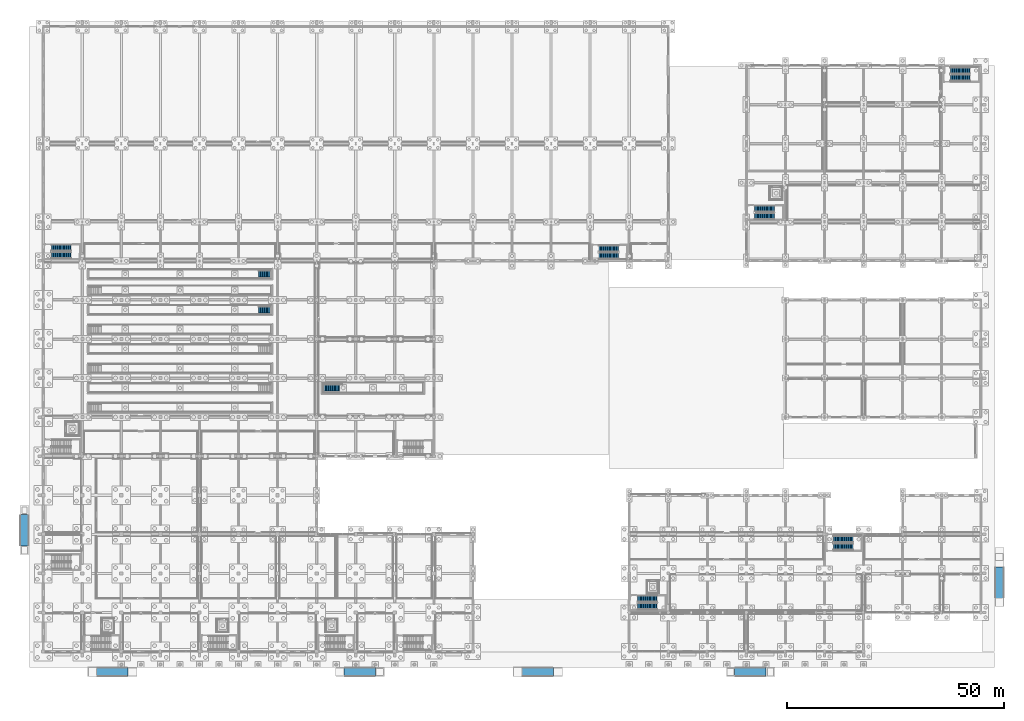
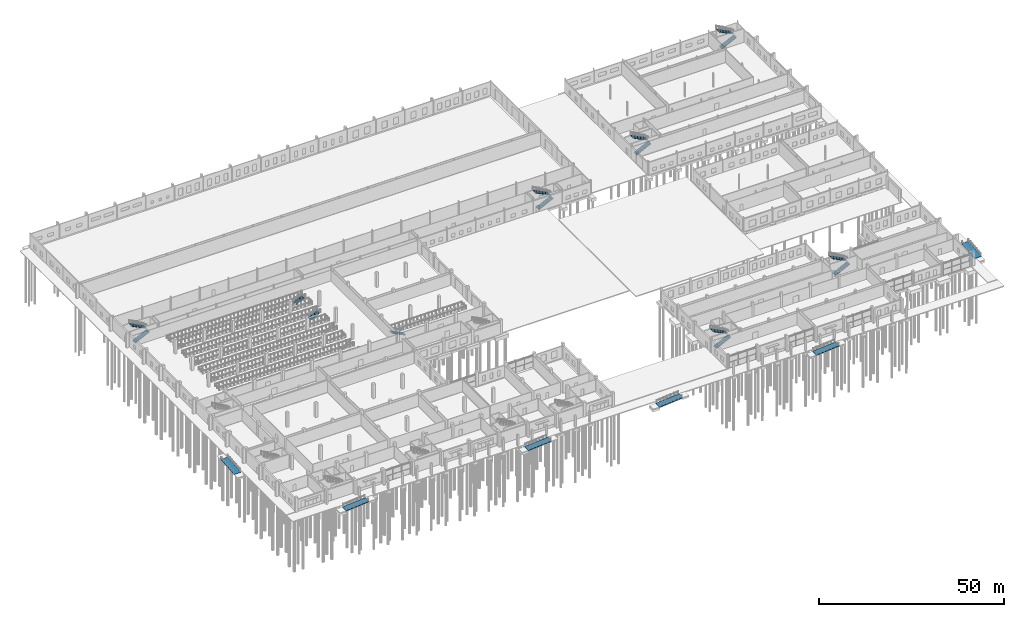
# One storey, part 87 of 112: 15 stair flights, 6 ramp flights, 15 elements without a shape of their own.
"""IFC4 building model written with IfcOpenShell, lengths in metres."""

from ifc_helpers import new_model, si_unit, direction, frame, origin, place, context, subcontext, project, spatial, polyline, outline, extrude, material, layer, layer_set, type_object, element, aggregate, save


model = new_model("IFC4")

# Units and contexts
model_context = context("Model", 3, precision=1e-05, world=origin(), true_north=direction((0.0, 1.0)))
body_context = subcontext(model_context, "Body", "Model", "MODEL_VIEW")
ifc_project = project(units=[si_unit("LENGTHUNIT", "METRE"), si_unit("AREAUNIT", "SQUARE_METRE"), si_unit("VOLUMEUNIT", "CUBIC_METRE"), si_unit("PLANEANGLEUNIT", "RADIAN"), si_unit("MASSUNIT", "GRAM", prefix="KILO")], contexts=[model_context])

# Site, building, storey
site_placement = place(None, origin())
site = spatial("IfcSite", under=ifc_project, at=site_placement, CompositionType="ELEMENT")
building_placement = place(site_placement, origin())
building = spatial("IfcBuilding", under=site, at=building_placement, Name="Tharagai Park Tramway Depot", CompositionType="ELEMENT")
storey_placement = place(building_placement, origin())
storey = spatial("IfcBuildingStorey", under=building, at=storey_placement, Name="L00", CompositionType="ELEMENT", Elevation=0.0)

# Stair, stair flights
ifc_material_1 = material(Name="Concrete M35", Category="concrete")
stair_type_1 = type_object("IfcStairType", Name="STT-02", PredefinedType="HALF_TURN_STAIR", material=ifc_material_1)
stair_1_placement = place(storey_placement, origin())
stair_1 = element("IfcStair", 1, at=stair_1_placement, inside=storey, type_object=stair_type_1, Name="L00 Protected Exit Stair ST-06", PredefinedType="HALF_TURN_STAIR")
stair_flight_type_1 = type_object("IfcStairFlightType", Name="SFT-02", PredefinedType="STRAIGHT", material=ifc_material_1)
stair_flight_1_placement = place(storey_placement, frame((136.949951171875, 10.425048828125, 0.0), z_axis=(0.0, 0.0, 1.0), x_axis=(1.0, 0.0, 0.0)))
stair_flight_1 = element("IfcStairFlight", 2, at=stair_flight_1_placement, type_object=stair_flight_type_1, Name="ST-06 flight 1", NumberOfRisers=16, NumberOfTreads=15, PredefinedType="STRAIGHT", RiserHeight=0.15, TreadLength=0.3, context=body_context, shape_type="SweptSolid", body=[
    extrude(outline(polyline([(-0.02490234375, 0.0), (0.0, 0.14990234375), (0.300048828125, 0.14990234375), (0.300048828125, 0.300048828125), (0.60009765625, 0.300048828125), (0.60009765625, 0.449951171875), (0.89990234375, 0.449951171875), (0.89990234375, 0.60009765625), (1.199951171875, 0.60009765625), (1.199951171875, 0.75), (1.5, 0.75), (1.5, 0.89990234375), (1.800048828125, 0.89990234375), (1.800048828125, 1.050048828125), (2.10009765625, 1.050048828125), (2.10009765625, 1.199951171875), (2.39990234375, 1.199951171875), (2.39990234375, 1.35009765625), (2.699951171875, 1.35009765625), (2.699951171875, 1.5), (3.0, 1.5), (3.0, 1.64990234375), (3.300048828125, 1.64990234375), (3.300048828125, 1.800048828125), (3.60009765625, 1.800048828125), (3.60009765625, 1.949951171875), (3.89990234375, 1.949951171875), (3.89990234375, 2.10009765625), (4.199951171875, 2.10009765625), (4.199951171875, 2.25), (4.5, 2.25), (4.5, 2.39990234375), (4.52490234375, 2.39990234375), (4.52490234375, 2.08251953125), (0.335205078125, 0.0), (-0.02490234375, -0.0400390625), (-0.02490234375, 0.0)])), frame((0.0, 0.77490234375, 0.0), z_axis=(0.0, -1.0, 0.0), x_axis=(1.0, 0.0, 0.0)), (0.0, 0.0, 1.0), 1.550048828125),
])
stair_flight_2_placement = place(storey_placement, frame((141.449951171875, 12.125, 2.39990234375), z_axis=(0.0, 0.0, 1.0), x_axis=(-1.0, 0.0, 0.0)))
stair_flight_2 = element("IfcStairFlight", 3, at=stair_flight_2_placement, type_object=stair_flight_type_1, Name="ST-06 flight 2", NumberOfRisers=16, NumberOfTreads=15, PredefinedType="STRAIGHT", RiserHeight=0.15, TreadLength=0.3, context=body_context, shape_type="SweptSolid", body=[
    extrude(outline(polyline([(-0.02490234375, 0.0), (0.0, 0.14990234375), (0.300048828125, 0.14990234375), (0.300048828125, 0.300048828125), (0.60009765625, 0.300048828125), (0.60009765625, 0.449951171875), (0.89990234375, 0.449951171875), (0.89990234375, 0.60009765625), (1.199951171875, 0.60009765625), (1.199951171875, 0.75), (1.5, 0.75), (1.5, 0.89990234375), (1.800048828125, 0.89990234375), (1.800048828125, 1.050048828125), (2.10009765625, 1.050048828125), (2.10009765625, 1.199951171875), (2.39990234375, 1.199951171875), (2.39990234375, 1.35009765625), (2.699951171875, 1.35009765625), (2.699951171875, 1.5), (3.0, 1.5), (3.0, 1.64990234375), (3.300048828125, 1.64990234375), (3.300048828125, 1.800048828125), (3.60009765625, 1.800048828125), (3.60009765625, 1.949951171875), (3.89990234375, 1.949951171875), (3.89990234375, 2.10009765625), (4.199951171875, 2.10009765625), (4.199951171875, 2.25), (4.5, 2.25), (4.5, 2.39990234375), (4.52490234375, 2.39990234375), (4.52490234375, 2.08251953125), (0.335205078125, 0.0), (-0.02490234375, -0.0400390625), (-0.02490234375, 0.0)])), frame((0.0, 0.77490234375, 0.0), z_axis=(0.0, -1.0, 0.0), x_axis=(1.0, 0.0, 0.0)), (0.0, 0.0, 1.0), 1.550048828125),
])
aggregate(stair_1, [stair_flight_1, stair_flight_2])

stair_2_placement = place(storey_placement, origin())
stair_2 = element("IfcStair", 4, at=stair_2_placement, inside=storey, type_object=stair_type_1, Name="L00 Protected Exit Stair ST-07", PredefinedType="HALF_TURN_STAIR")
stair_flight_3_placement = place(storey_placement, frame((182.070068359375, 24.125, 0.0), z_axis=(0.0, 0.0, 1.0), x_axis=(1.0, 0.0, 0.0)))
stair_flight_3 = element("IfcStairFlight", 5, at=stair_flight_3_placement, type_object=stair_flight_type_1, Name="ST-07 flight 1", NumberOfRisers=16, NumberOfTreads=15, PredefinedType="STRAIGHT", RiserHeight=0.15, TreadLength=0.3, context=body_context, shape_type="SweptSolid", body=[
    extrude(outline(polyline([(-0.02490234375, 0.0), (0.0, 0.14990234375), (0.300048828125, 0.14990234375), (0.300048828125, 0.300048828125), (0.60009765625, 0.300048828125), (0.60009765625, 0.449951171875), (0.89990234375, 0.449951171875), (0.89990234375, 0.60009765625), (1.199951171875, 0.60009765625), (1.199951171875, 0.75), (1.5, 0.75), (1.5, 0.89990234375), (1.800048828125, 0.89990234375), (1.800048828125, 1.050048828125), (2.10009765625, 1.050048828125), (2.10009765625, 1.199951171875), (2.39990234375, 1.199951171875), (2.39990234375, 1.35009765625), (2.699951171875, 1.35009765625), (2.699951171875, 1.5), (3.0, 1.5), (3.0, 1.64990234375), (3.300048828125, 1.64990234375), (3.300048828125, 1.800048828125), (3.60009765625, 1.800048828125), (3.60009765625, 1.949951171875), (3.89990234375, 1.949951171875), (3.89990234375, 2.10009765625), (4.199951171875, 2.10009765625), (4.199951171875, 2.25), (4.5, 2.25), (4.5, 2.39990234375), (4.52490234375, 2.39990234375), (4.52490234375, 2.08251953125), (0.335205078125, 0.0), (-0.02490234375, -0.0400390625), (-0.02490234375, 0.0)])), frame((0.0, 0.77490234375, 0.0), z_axis=(0.0, -1.0, 0.0), x_axis=(1.0, 0.0, 0.0)), (0.0, 0.0, 1.0), 1.550048828125),
])
stair_flight_4_placement = place(storey_placement, frame((186.570068359375, 25.824951171875, 2.39990234375), z_axis=(0.0, 0.0, 1.0), x_axis=(-1.0, 0.0, 0.0)))
stair_flight_4 = element("IfcStairFlight", 6, at=stair_flight_4_placement, type_object=stair_flight_type_1, Name="ST-07 flight 2", NumberOfRisers=16, NumberOfTreads=15, PredefinedType="STRAIGHT", RiserHeight=0.15, TreadLength=0.3, context=body_context, shape_type="SweptSolid", body=[
    extrude(outline(polyline([(-0.02490234375, 0.0), (0.0, 0.14990234375), (0.300048828125, 0.14990234375), (0.300048828125, 0.300048828125), (0.60009765625, 0.300048828125), (0.60009765625, 0.449951171875), (0.89990234375, 0.449951171875), (0.89990234375, 0.60009765625), (1.199951171875, 0.60009765625), (1.199951171875, 0.75), (1.5, 0.75), (1.5, 0.89990234375), (1.800048828125, 0.89990234375), (1.800048828125, 1.050048828125), (2.10009765625, 1.050048828125), (2.10009765625, 1.199951171875), (2.39990234375, 1.199951171875), (2.39990234375, 1.35009765625), (2.699951171875, 1.35009765625), (2.699951171875, 1.5), (3.0, 1.5), (3.0, 1.64990234375), (3.300048828125, 1.64990234375), (3.300048828125, 1.800048828125), (3.60009765625, 1.800048828125), (3.60009765625, 1.949951171875), (3.89990234375, 1.949951171875), (3.89990234375, 2.10009765625), (4.199951171875, 2.10009765625), (4.199951171875, 2.25), (4.5, 2.25), (4.5, 2.39990234375), (4.52490234375, 2.39990234375), (4.52490234375, 2.08251953125), (0.335205078125, 0.0), (-0.02490234375, -0.0400390625), (-0.02490234375, 0.0)])), frame((0.0, 0.77490234375, 0.0), z_axis=(0.0, -1.0, 0.0), x_axis=(1.0, 0.0, 0.0)), (0.0, 0.0, 1.0), 1.550048828125),
])
aggregate(stair_2, [stair_flight_3, stair_flight_4])

stair_3_placement = place(storey_placement, origin())
stair_3 = element("IfcStair", 7, at=stair_3_placement, inside=storey, type_object=stair_type_1, Name="L00 Protected Exit Stair ST-10", PredefinedType="HALF_TURN_STAIR")
stair_flight_5_placement = place(storey_placement, frame((1.919921875, 91.31005859375, 0.0), z_axis=(0.0, 0.0, 1.0), x_axis=(1.0, 0.0, 0.0)))
stair_flight_5 = element("IfcStairFlight", 8, at=stair_flight_5_placement, type_object=stair_flight_type_1, Name="ST-10 flight 1", NumberOfRisers=16, NumberOfTreads=15, PredefinedType="STRAIGHT", RiserHeight=0.15, TreadLength=0.3, context=body_context, shape_type="SweptSolid", body=[
    extrude(outline(polyline([(-0.02490234375, 0.0), (0.0, 0.14990234375), (0.300048828125, 0.14990234375), (0.300048828125, 0.300048828125), (0.60009765625, 0.300048828125), (0.60009765625, 0.449951171875), (0.89990234375, 0.449951171875), (0.89990234375, 0.60009765625), (1.199951171875, 0.60009765625), (1.199951171875, 0.75), (1.5, 0.75), (1.5, 0.89990234375), (1.800048828125, 0.89990234375), (1.800048828125, 1.050048828125), (2.10009765625, 1.050048828125), (2.10009765625, 1.199951171875), (2.39990234375, 1.199951171875), (2.39990234375, 1.35009765625), (2.699951171875, 1.35009765625), (2.699951171875, 1.5), (3.0, 1.5), (3.0, 1.64990234375), (3.300048828125, 1.64990234375), (3.300048828125, 1.800048828125), (3.60009765625, 1.800048828125), (3.60009765625, 1.949951171875), (3.89990234375, 1.949951171875), (3.89990234375, 2.10009765625), (4.199951171875, 2.10009765625), (4.199951171875, 2.25), (4.5, 2.25), (4.5, 2.39990234375), (4.52490234375, 2.39990234375), (4.52490234375, 2.08251953125), (0.335205078125, 0.0), (-0.02490234375, -0.0400390625), (-0.02490234375, 0.0)])), frame((0.0, 0.760009765625, 0.0), z_axis=(0.0, -1.0, 0.0), x_axis=(1.0, 0.0, 0.0)), (0.0, 0.0, 1.0), 1.52001953125),
])
stair_flight_6_placement = place(storey_placement, frame((6.419921875, 92.97998046875, 2.39990234375), z_axis=(0.0, 0.0, 1.0), x_axis=(-1.0, 0.0, 0.0)))
stair_flight_6 = element("IfcStairFlight", 9, at=stair_flight_6_placement, type_object=stair_flight_type_1, Name="ST-10 flight 2", NumberOfRisers=16, NumberOfTreads=15, PredefinedType="STRAIGHT", RiserHeight=0.15, TreadLength=0.3, context=body_context, shape_type="SweptSolid", body=[
    extrude(outline(polyline([(-0.02490234375, 0.0), (0.0, 0.14990234375), (0.300048828125, 0.14990234375), (0.300048828125, 0.300048828125), (0.60009765625, 0.300048828125), (0.60009765625, 0.449951171875), (0.89990234375, 0.449951171875), (0.89990234375, 0.60009765625), (1.199951171875, 0.60009765625), (1.199951171875, 0.75), (1.5, 0.75), (1.5, 0.89990234375), (1.800048828125, 0.89990234375), (1.800048828125, 1.050048828125), (2.10009765625, 1.050048828125), (2.10009765625, 1.199951171875), (2.39990234375, 1.199951171875), (2.39990234375, 1.35009765625), (2.699951171875, 1.35009765625), (2.699951171875, 1.5), (3.0, 1.5), (3.0, 1.64990234375), (3.300048828125, 1.64990234375), (3.300048828125, 1.800048828125), (3.60009765625, 1.800048828125), (3.60009765625, 1.949951171875), (3.89990234375, 1.949951171875), (3.89990234375, 2.10009765625), (4.199951171875, 2.10009765625), (4.199951171875, 2.25), (4.5, 2.25), (4.5, 2.39990234375), (4.52490234375, 2.39990234375), (4.52490234375, 2.08251953125), (0.335205078125, 0.0), (-0.02490234375, -0.0400390625), (-0.02490234375, 0.0)])), frame((0.0, 0.760009765625, 0.0), z_axis=(0.0, -1.0, 0.0), x_axis=(1.0, 0.0, 0.0)), (0.0, 0.0, 1.0), 1.52001953125),
])
aggregate(stair_3, [stair_flight_5, stair_flight_6])

stair_4_placement = place(storey_placement, origin())
stair_4 = element("IfcStair", 10, at=stair_4_placement, inside=storey, type_object=stair_type_1, Name="L00 Protected Exit Stair ST-11", PredefinedType="HALF_TURN_STAIR")
stair_flight_7_placement = place(storey_placement, frame((128.0400390625, 91.159912109375, 0.0), z_axis=(0.0, 0.0, 1.0), x_axis=(1.0, 0.0, 0.0)))
stair_flight_7 = element("IfcStairFlight", 11, at=stair_flight_7_placement, type_object=stair_flight_type_1, Name="ST-11 flight 1", NumberOfRisers=16, NumberOfTreads=15, PredefinedType="STRAIGHT", RiserHeight=0.15, TreadLength=0.3, context=body_context, shape_type="SweptSolid", body=[
    extrude(outline(polyline([(-0.02490234375, 0.0), (0.0, 0.14990234375), (0.300048828125, 0.14990234375), (0.300048828125, 0.300048828125), (0.60009765625, 0.300048828125), (0.60009765625, 0.449951171875), (0.89990234375, 0.449951171875), (0.89990234375, 0.60009765625), (1.199951171875, 0.60009765625), (1.199951171875, 0.75), (1.5, 0.75), (1.5, 0.89990234375), (1.800048828125, 0.89990234375), (1.800048828125, 1.050048828125), (2.10009765625, 1.050048828125), (2.10009765625, 1.199951171875), (2.39990234375, 1.199951171875), (2.39990234375, 1.35009765625), (2.699951171875, 1.35009765625), (2.699951171875, 1.5), (3.0, 1.5), (3.0, 1.64990234375), (3.300048828125, 1.64990234375), (3.300048828125, 1.800048828125), (3.60009765625, 1.800048828125), (3.60009765625, 1.949951171875), (3.89990234375, 1.949951171875), (3.89990234375, 2.10009765625), (4.199951171875, 2.10009765625), (4.199951171875, 2.25), (4.5, 2.25), (4.5, 2.39990234375), (4.52490234375, 2.39990234375), (4.52490234375, 2.08251953125), (0.335205078125, 0.0), (-0.02490234375, -0.0400390625), (-0.02490234375, 0.0)])), frame((0.0, 0.760009765625, 0.0), z_axis=(0.0, -1.0, 0.0), x_axis=(1.0, 0.0, 0.0)), (0.0, 0.0, 1.0), 1.52001953125),
])
stair_flight_8_placement = place(storey_placement, frame((132.5400390625, 92.830078125, 2.39990234375), z_axis=(0.0, 0.0, 1.0), x_axis=(-1.0, 0.0, 0.0)))
stair_flight_8 = element("IfcStairFlight", 12, at=stair_flight_8_placement, type_object=stair_flight_type_1, Name="ST-11 flight 2", NumberOfRisers=16, NumberOfTreads=15, PredefinedType="STRAIGHT", RiserHeight=0.15, TreadLength=0.3, context=body_context, shape_type="SweptSolid", body=[
    extrude(outline(polyline([(-0.02490234375, 0.0), (0.0, 0.14990234375), (0.300048828125, 0.14990234375), (0.300048828125, 0.300048828125), (0.60009765625, 0.300048828125), (0.60009765625, 0.449951171875), (0.89990234375, 0.449951171875), (0.89990234375, 0.60009765625), (1.199951171875, 0.60009765625), (1.199951171875, 0.75), (1.5, 0.75), (1.5, 0.89990234375), (1.800048828125, 0.89990234375), (1.800048828125, 1.050048828125), (2.10009765625, 1.050048828125), (2.10009765625, 1.199951171875), (2.39990234375, 1.199951171875), (2.39990234375, 1.35009765625), (2.699951171875, 1.35009765625), (2.699951171875, 1.5), (3.0, 1.5), (3.0, 1.64990234375), (3.300048828125, 1.64990234375), (3.300048828125, 1.800048828125), (3.60009765625, 1.800048828125), (3.60009765625, 1.949951171875), (3.89990234375, 1.949951171875), (3.89990234375, 2.10009765625), (4.199951171875, 2.10009765625), (4.199951171875, 2.25), (4.5, 2.25), (4.5, 2.39990234375), (4.52490234375, 2.39990234375), (4.52490234375, 2.08251953125), (0.335205078125, 0.0), (-0.02490234375, -0.0400390625), (-0.02490234375, 0.0)])), frame((0.0, 0.760009765625, 0.0), z_axis=(0.0, -1.0, 0.0), x_axis=(1.0, 0.0, 0.0)), (0.0, 0.0, 1.0), 1.52001953125),
])
aggregate(stair_4, [stair_flight_7, stair_flight_8])

stair_5_placement = place(storey_placement, origin())
stair_5 = element("IfcStair", 13, at=stair_5_placement, inside=storey, type_object=stair_type_1, Name="L00 Protected Exit Stair ST-12", PredefinedType="HALF_TURN_STAIR")
stair_flight_9_placement = place(storey_placement, frame((163.919921875, 100.31005859375, 0.0), z_axis=(0.0, 0.0, 1.0), x_axis=(1.0, 0.0, 0.0)))
stair_flight_9 = element("IfcStairFlight", 14, at=stair_flight_9_placement, type_object=stair_flight_type_1, Name="ST-12 flight 1", NumberOfRisers=16, NumberOfTreads=15, PredefinedType="STRAIGHT", RiserHeight=0.15, TreadLength=0.3, context=body_context, shape_type="SweptSolid", body=[
    extrude(outline(polyline([(-0.02490234375, 0.0), (0.0, 0.14990234375), (0.300048828125, 0.14990234375), (0.300048828125, 0.300048828125), (0.60009765625, 0.300048828125), (0.60009765625, 0.449951171875), (0.89990234375, 0.449951171875), (0.89990234375, 0.60009765625), (1.199951171875, 0.60009765625), (1.199951171875, 0.75), (1.5, 0.75), (1.5, 0.89990234375), (1.800048828125, 0.89990234375), (1.800048828125, 1.050048828125), (2.10009765625, 1.050048828125), (2.10009765625, 1.199951171875), (2.39990234375, 1.199951171875), (2.39990234375, 1.35009765625), (2.699951171875, 1.35009765625), (2.699951171875, 1.5), (3.0, 1.5), (3.0, 1.64990234375), (3.300048828125, 1.64990234375), (3.300048828125, 1.800048828125), (3.60009765625, 1.800048828125), (3.60009765625, 1.949951171875), (3.89990234375, 1.949951171875), (3.89990234375, 2.10009765625), (4.199951171875, 2.10009765625), (4.199951171875, 2.25), (4.5, 2.25), (4.5, 2.39990234375), (4.52490234375, 2.39990234375), (4.52490234375, 2.08251953125), (0.335205078125, 0.0), (-0.02490234375, -0.0400390625), (-0.02490234375, 0.0)])), frame((0.0, 0.760009765625, 0.0), z_axis=(0.0, -1.0, 0.0), x_axis=(1.0, 0.0, 0.0)), (0.0, 0.0, 1.0), 1.52001953125),
])
stair_flight_10_placement = place(storey_placement, frame((168.419921875, 101.97998046875, 2.39990234375), z_axis=(0.0, 0.0, 1.0), x_axis=(-1.0, 0.0, 0.0)))
stair_flight_10 = element("IfcStairFlight", 15, at=stair_flight_10_placement, type_object=stair_flight_type_1, Name="ST-12 flight 2", NumberOfRisers=16, NumberOfTreads=15, PredefinedType="STRAIGHT", RiserHeight=0.15, TreadLength=0.3, context=body_context, shape_type="SweptSolid", body=[
    extrude(outline(polyline([(-0.02490234375, 0.0), (0.0, 0.14990234375), (0.300048828125, 0.14990234375), (0.300048828125, 0.300048828125), (0.60009765625, 0.300048828125), (0.60009765625, 0.449951171875), (0.89990234375, 0.449951171875), (0.89990234375, 0.60009765625), (1.199951171875, 0.60009765625), (1.199951171875, 0.75), (1.5, 0.75), (1.5, 0.89990234375), (1.800048828125, 0.89990234375), (1.800048828125, 1.050048828125), (2.10009765625, 1.050048828125), (2.10009765625, 1.199951171875), (2.39990234375, 1.199951171875), (2.39990234375, 1.35009765625), (2.699951171875, 1.35009765625), (2.699951171875, 1.5), (3.0, 1.5), (3.0, 1.64990234375), (3.300048828125, 1.64990234375), (3.300048828125, 1.800048828125), (3.60009765625, 1.800048828125), (3.60009765625, 1.949951171875), (3.89990234375, 1.949951171875), (3.89990234375, 2.10009765625), (4.199951171875, 2.10009765625), (4.199951171875, 2.25), (4.5, 2.25), (4.5, 2.39990234375), (4.52490234375, 2.39990234375), (4.52490234375, 2.08251953125), (0.335205078125, 0.0), (-0.02490234375, -0.0400390625), (-0.02490234375, 0.0)])), frame((0.0, 0.760009765625, 0.0), z_axis=(0.0, -1.0, 0.0), x_axis=(1.0, 0.0, 0.0)), (0.0, 0.0, 1.0), 1.52001953125),
])
aggregate(stair_5, [stair_flight_9, stair_flight_10])

stair_6_placement = place(storey_placement, origin())
stair_6 = element("IfcStair", 16, at=stair_6_placement, inside=storey, type_object=stair_type_1, Name="L00 Protected Exit Stair ST-13", PredefinedType="HALF_TURN_STAIR")
stair_flight_11_placement = place(storey_placement, frame((209.0400390625, 132.169921875, 0.0), z_axis=(0.0, 0.0, 1.0), x_axis=(1.0, 0.0, 0.0)))
stair_flight_11 = element("IfcStairFlight", 17, at=stair_flight_11_placement, type_object=stair_flight_type_1, Name="ST-13 flight 1", NumberOfRisers=16, NumberOfTreads=15, PredefinedType="STRAIGHT", RiserHeight=0.15, TreadLength=0.3, context=body_context, shape_type="SweptSolid", body=[
    extrude(outline(polyline([(-0.02490234375, 0.0), (0.0, 0.14990234375), (0.300048828125, 0.14990234375), (0.300048828125, 0.300048828125), (0.60009765625, 0.300048828125), (0.60009765625, 0.449951171875), (0.89990234375, 0.449951171875), (0.89990234375, 0.60009765625), (1.199951171875, 0.60009765625), (1.199951171875, 0.75), (1.5, 0.75), (1.5, 0.89990234375), (1.800048828125, 0.89990234375), (1.800048828125, 1.050048828125), (2.10009765625, 1.050048828125), (2.10009765625, 1.199951171875), (2.39990234375, 1.199951171875), (2.39990234375, 1.35009765625), (2.699951171875, 1.35009765625), (2.699951171875, 1.5), (3.0, 1.5), (3.0, 1.64990234375), (3.300048828125, 1.64990234375), (3.300048828125, 1.800048828125), (3.60009765625, 1.800048828125), (3.60009765625, 1.949951171875), (3.89990234375, 1.949951171875), (3.89990234375, 2.10009765625), (4.199951171875, 2.10009765625), (4.199951171875, 2.25), (4.5, 2.25), (4.5, 2.39990234375), (4.52490234375, 2.39990234375), (4.52490234375, 2.08251953125), (0.335205078125, 0.0), (-0.02490234375, -0.0400390625), (-0.02490234375, 0.0)])), frame((0.0, 0.760009765625, 0.0), z_axis=(0.0, -1.0, 0.0), x_axis=(1.0, 0.0, 0.0)), (0.0, 0.0, 1.0), 1.52001953125),
])
stair_flight_12_placement = place(storey_placement, frame((213.5400390625, 133.840087890625, 2.39990234375), z_axis=(0.0, 0.0, 1.0), x_axis=(-1.0, 0.0, 0.0)))
stair_flight_12 = element("IfcStairFlight", 18, at=stair_flight_12_placement, type_object=stair_flight_type_1, Name="ST-13 flight 2", NumberOfRisers=16, NumberOfTreads=15, PredefinedType="STRAIGHT", RiserHeight=0.15, TreadLength=0.3, context=body_context, shape_type="SweptSolid", body=[
    extrude(outline(polyline([(-0.02490234375, 0.0), (0.0, 0.14990234375), (0.300048828125, 0.14990234375), (0.300048828125, 0.300048828125), (0.60009765625, 0.300048828125), (0.60009765625, 0.449951171875), (0.89990234375, 0.449951171875), (0.89990234375, 0.60009765625), (1.199951171875, 0.60009765625), (1.199951171875, 0.75), (1.5, 0.75), (1.5, 0.89990234375), (1.800048828125, 0.89990234375), (1.800048828125, 1.050048828125), (2.10009765625, 1.050048828125), (2.10009765625, 1.199951171875), (2.39990234375, 1.199951171875), (2.39990234375, 1.35009765625), (2.699951171875, 1.35009765625), (2.699951171875, 1.5), (3.0, 1.5), (3.0, 1.64990234375), (3.300048828125, 1.64990234375), (3.300048828125, 1.800048828125), (3.60009765625, 1.800048828125), (3.60009765625, 1.949951171875), (3.89990234375, 1.949951171875), (3.89990234375, 2.10009765625), (4.199951171875, 2.10009765625), (4.199951171875, 2.25), (4.5, 2.25), (4.5, 2.39990234375), (4.52490234375, 2.39990234375), (4.52490234375, 2.08251953125), (0.335205078125, 0.0), (-0.02490234375, -0.0400390625), (-0.02490234375, 0.0)])), frame((0.0, 0.760009765625, 0.0), z_axis=(0.0, -1.0, 0.0), x_axis=(1.0, 0.0, 0.0)), (0.0, 0.0, 1.0), 1.52001953125),
])
aggregate(stair_6, [stair_flight_11, stair_flight_12])

# Stair, stair flight
ifc_material_2 = material(Name="Concrete M40", Category="concrete")
stair_type_2 = type_object("IfcStairType", Name="STT-01", PredefinedType="STRAIGHT_RUN_STAIR", material=ifc_material_2)
stair_7_placement = place(storey_placement, origin())
stair_7 = element("IfcStair", 19, at=stair_7_placement, inside=storey, type_object=stair_type_2, Name="Inspection Pit Track 6 Access Stair", PredefinedType="STRAIGHT_RUN_STAIR")
stair_flight_type_2 = type_object("IfcStairFlightType", Name="SFT-03", PredefinedType="STRAIGHT", material=ifc_material_2)
stair_flight_13_placement = place(storey_placement, frame((49.6201171875, 78.75, -1.5), z_axis=(0.0, 0.0, 1.0), x_axis=(1.0, 0.0, 0.0)))
stair_flight_13 = element("IfcStairFlight", 20, at=stair_flight_13_placement, type_object=stair_flight_type_2, Name="Inspection Pit Track 6 Stair Flight", NumberOfRisers=10, NumberOfTreads=9, PredefinedType="STRAIGHT", RiserHeight=0.15, TreadLength=0.3, context=body_context, shape_type="SweptSolid", body=[
    extrude(outline(polyline([(-0.02490234375, 0.0), (0.0, 0.14990234375), (0.300048828125, 0.14990234375), (0.300048828125, 0.300048828125), (0.60009765625, 0.300048828125), (0.60009765625, 0.449951171875), (0.89990234375, 0.449951171875), (0.89990234375, 0.60009765625), (1.199951171875, 0.60009765625), (1.199951171875, 0.75), (1.5, 0.75), (1.5, 0.89990234375), (1.800048828125, 0.89990234375), (1.800048828125, 1.050048828125), (2.10009765625, 1.050048828125), (2.10009765625, 1.199951171875), (2.39990234375, 1.199951171875), (2.39990234375, 1.35009765625), (2.699951171875, 1.35009765625), (2.699951171875, 1.5), (2.72509765625, 1.5), (2.72509765625, 1.182373046875), (0.335205078125, 0.0), (-0.02490234375, -0.0400390625), (-0.02490234375, 0.0)])), frame((0.0, 0.7548828125, 0.0), z_axis=(0.0, -1.0, 0.0), x_axis=(1.0, 0.0, 0.0)), (0.0, 0.0, 1.0), 1.510009765625),
])
aggregate(stair_7, [stair_flight_13])

stair_8_placement = place(storey_placement, origin())
stair_8 = element("IfcStair", 21, at=stair_8_placement, inside=storey, type_object=stair_type_2, Name="Inspection Pit Track 8 Access Stair", PredefinedType="STRAIGHT_RUN_STAIR")
stair_flight_14_placement = place(storey_placement, frame((49.6201171875, 87.0, -1.5), z_axis=(0.0, 0.0, 1.0), x_axis=(1.0, 0.0, 0.0)))
stair_flight_14 = element("IfcStairFlight", 22, at=stair_flight_14_placement, type_object=stair_flight_type_2, Name="Inspection Pit Track 8 Stair Flight", NumberOfRisers=10, NumberOfTreads=9, PredefinedType="STRAIGHT", RiserHeight=0.15, TreadLength=0.3, context=body_context, shape_type="SweptSolid", body=[
    extrude(outline(polyline([(-0.02490234375, 0.0), (0.0, 0.14990234375), (0.300048828125, 0.14990234375), (0.300048828125, 0.300048828125), (0.60009765625, 0.300048828125), (0.60009765625, 0.449951171875), (0.89990234375, 0.449951171875), (0.89990234375, 0.60009765625), (1.199951171875, 0.60009765625), (1.199951171875, 0.75), (1.5, 0.75), (1.5, 0.89990234375), (1.800048828125, 0.89990234375), (1.800048828125, 1.050048828125), (2.10009765625, 1.050048828125), (2.10009765625, 1.199951171875), (2.39990234375, 1.199951171875), (2.39990234375, 1.35009765625), (2.699951171875, 1.35009765625), (2.699951171875, 1.5), (2.72509765625, 1.5), (2.72509765625, 1.182373046875), (0.335205078125, 0.0), (-0.02490234375, -0.0400390625), (-0.02490234375, 0.0)])), frame((0.0, 0.7548828125, 0.0), z_axis=(0.0, -1.0, 0.0), x_axis=(1.0, 0.0, 0.0)), (0.0, 0.0, 1.0), 1.510009765625),
])
aggregate(stair_8, [stair_flight_14])

stair_9_placement = place(storey_placement, origin())
stair_9 = element("IfcStair", 23, at=stair_9_placement, inside=storey, type_object=stair_type_2, Name="Underfloor Wheel-Lathe Pit Access Stair", PredefinedType="STRAIGHT_RUN_STAIR")
stair_flight_15_placement = place(storey_placement, frame((68.8798828125, 60.75, -2.199951171875), z_axis=(0.0, 0.0, 1.0), x_axis=(-1.0, 0.0, 0.0)))
stair_flight_15 = element("IfcStairFlight", 24, at=stair_flight_15_placement, type_object=stair_flight_type_2, Name="Underfloor Wheel-Lathe Pit Stair Flight", NumberOfRisers=15, NumberOfTreads=14, PredefinedType="STRAIGHT", RiserHeight=0.146666667, TreadLength=0.3, context=body_context, shape_type="SweptSolid", body=[
    extrude(outline(polyline([(-0.02490234375, 0.0), (0.0, 0.146728515625), (0.300048828125, 0.146728515625), (0.300048828125, 0.293212890625), (0.60009765625, 0.293212890625), (0.60009765625, 0.43994140625), (0.89990234375, 0.43994140625), (0.89990234375, 0.586669921875), (1.199951171875, 0.586669921875), (1.199951171875, 0.7333984375), (1.5, 0.7333984375), (1.5, 0.8798828125), (1.800048828125, 0.8798828125), (1.800048828125, 1.026611328125), (2.10009765625, 1.026611328125), (2.10009765625, 1.17333984375), (2.39990234375, 1.17333984375), (2.39990234375, 1.320068359375), (2.699951171875, 1.320068359375), (2.699951171875, 1.466552734375), (3.0, 1.466552734375), (3.0, 1.61328125), (3.300048828125, 1.61328125), (3.300048828125, 1.760009765625), (3.60009765625, 1.760009765625), (3.60009765625, 1.90673828125), (3.89990234375, 1.90673828125), (3.89990234375, 2.05322265625), (4.199951171875, 2.05322265625), (4.199951171875, 2.199951171875), (4.22509765625, 2.199951171875), (4.22509765625, 1.886474609375), (0.34130859375, 0.0), (-0.02490234375, -0.0400390625), (-0.02490234375, 0.0)])), frame((0.0, 0.7548828125, 0.0), z_axis=(0.0, -1.0, 0.0), x_axis=(1.0, 0.0, 0.0)), (0.0, 0.0, 1.0), 1.510009765625),
])
aggregate(stair_9, [stair_flight_15])

# Ramp, ramp flight
ifc_layer_1 = layer(ifc_material_1, 0.199951171875)
ifc_layer_set_1 = layer_set([ifc_layer_1], Name="Concrete M35")
ramp_type = type_object("IfcRampType", Name="RP-01", PredefinedType="STRAIGHT_RUN_RAMP", material=ifc_layer_set_1)
ramp_1_placement = place(storey_placement, origin())
ramp_1 = element("IfcRamp", 25, at=ramp_1_placement, inside=storey, type_object=ramp_type, Name="Accessible Plinth Entrance Ramp RMP-01", PredefinedType="STRAIGHT_RUN_RAMP")
ifc_layer_2 = layer(ifc_material_1, 0.199951171875)
ifc_layer_set_2 = layer_set([ifc_layer_2], Name="Concrete M35")
ramp_flight_type = type_object("IfcRampFlightType", Name="RFL-01", PredefinedType="STRAIGHT", material=ifc_layer_set_2)
ramp_flight_1_placement = place(storey_placement, frame((12.300048828125, -4.699951171875, -0.60009765625), z_axis=(0.0, 0.0, 1.0), x_axis=(1.0, 0.0, 0.0)))
ramp_flight_1 = element("IfcRampFlight", 26, at=ramp_flight_1_placement, type_object=ramp_flight_type, Name="Accessible Ramp Flight RMP-01", PredefinedType="STRAIGHT", context=body_context, shape_type="SweptSolid", body=[
    extrude(outline(polyline([(-0.02490234375, 0.0), (7.224853515625, 0.60009765625), (7.224853515625, 0.400146484375), (-0.02490234375, -0.199951171875), (-0.02490234375, 0.0)])), frame((0.0, 1.050048828125, 0.0), z_axis=(0.0, -1.0, 0.0), x_axis=(1.0, 0.0, 0.0)), (0.0, 0.0, 1.0), 2.10009765625),
])
aggregate(ramp_1, [ramp_flight_1])

ramp_2_placement = place(storey_placement, origin())
ramp_2 = element("IfcRamp", 27, at=ramp_2_placement, inside=storey, type_object=ramp_type, Name="Accessible Plinth Entrance Ramp RMP-02", PredefinedType="STRAIGHT_RUN_RAMP")
ramp_flight_2_placement = place(storey_placement, frame((69.300048828125, -4.699951171875, -0.60009765625), z_axis=(0.0, 0.0, 1.0), x_axis=(1.0, 0.0, 0.0)))
ramp_flight_2 = element("IfcRampFlight", 28, at=ramp_flight_2_placement, type_object=ramp_flight_type, Name="Accessible Ramp Flight RMP-02", PredefinedType="STRAIGHT", context=body_context, shape_type="SweptSolid", body=[
    extrude(outline(polyline([(-0.02490234375, 0.0), (7.224853515625, 0.60009765625), (7.224853515625, 0.400146484375), (-0.02490234375, -0.199951171875), (-0.02490234375, 0.0)])), frame((0.0, 1.050048828125, 0.0), z_axis=(0.0, -1.0, 0.0), x_axis=(1.0, 0.0, 0.0)), (0.0, 0.0, 1.0), 2.10009765625),
])
aggregate(ramp_2, [ramp_flight_2])

ramp_3_placement = place(storey_placement, origin())
ramp_3 = element("IfcRamp", 29, at=ramp_3_placement, inside=storey, type_object=ramp_type, Name="Accessible Plinth Entrance Ramp RMP-03", PredefinedType="STRAIGHT_RUN_RAMP")
ramp_flight_3_placement = place(storey_placement, frame((159.300048828125, -4.699951171875, -0.60009765625), z_axis=(0.0, 0.0, 1.0), x_axis=(1.0, 0.0, 0.0)))
ramp_flight_3 = element("IfcRampFlight", 30, at=ramp_flight_3_placement, type_object=ramp_flight_type, Name="Accessible Ramp Flight RMP-03", PredefinedType="STRAIGHT", context=body_context, shape_type="SweptSolid", body=[
    extrude(outline(polyline([(-0.02490234375, 0.0), (7.224853515625, 0.60009765625), (7.224853515625, 0.400146484375), (-0.02490234375, -0.199951171875), (-0.02490234375, 0.0)])), frame((0.0, 1.050048828125, 0.0), z_axis=(0.0, -1.0, 0.0), x_axis=(1.0, 0.0, 0.0)), (0.0, 0.0, 1.0), 2.10009765625),
])
aggregate(ramp_3, [ramp_flight_3])

ramp_4_placement = place(storey_placement, origin())
ramp_4 = element("IfcRamp", 31, at=ramp_4_placement, inside=storey, type_object=ramp_type, Name="Accessible Plinth Entrance Ramp RMP-04", PredefinedType="STRAIGHT_RUN_RAMP")
ramp_flight_4_placement = place(storey_placement, frame((-4.300048828125, 24.300048828125, -0.60009765625), z_axis=(0.0, 0.0, 1.0), x_axis=(0.0, 1.0, 0.0)))
ramp_flight_4 = element("IfcRampFlight", 32, at=ramp_flight_4_placement, type_object=ramp_flight_type, Name="Accessible Ramp Flight RMP-04", PredefinedType="STRAIGHT", context=body_context, shape_type="SweptSolid", body=[
    extrude(outline(polyline([(-0.02490234375, 0.0), (7.224853515625, 0.60009765625), (7.224853515625, 0.400146484375), (-0.02490234375, -0.199951171875), (-0.02490234375, 0.0)])), frame((0.0, 1.050048828125, 0.0), z_axis=(0.0, -1.0, 0.0), x_axis=(1.0, 0.0, 0.0)), (0.0, 0.0, 1.0), 2.10009765625),
])
aggregate(ramp_4, [ramp_flight_4])

ramp_5_placement = place(storey_placement, origin())
ramp_5 = element("IfcRamp", 33, at=ramp_5_placement, inside=storey, type_object=ramp_type, Name="Accessible Plinth Entrance Ramp RMP-05", PredefinedType="STRAIGHT_RUN_RAMP")
ramp_flight_5_placement = place(storey_placement, frame((110.300048828125, -4.699951171875, -0.60009765625), z_axis=(0.0, 0.0, 1.0), x_axis=(1.0, 0.0, 0.0)))
ramp_flight_5 = element("IfcRampFlight", 34, at=ramp_flight_5_placement, type_object=ramp_flight_type, Name="Accessible Ramp Flight RMP-05", PredefinedType="STRAIGHT", context=body_context, shape_type="SweptSolid", body=[
    extrude(outline(polyline([(-0.02490234375, 0.0), (7.224853515625, 0.60009765625), (7.224853515625, 0.400146484375), (-0.02490234375, -0.199951171875), (-0.02490234375, 0.0)])), frame((0.0, 1.050048828125, 0.0), z_axis=(0.0, -1.0, 0.0), x_axis=(1.0, 0.0, 0.0)), (0.0, 0.0, 1.0), 2.10009765625),
])
aggregate(ramp_5, [ramp_flight_5])

ramp_6_placement = place(storey_placement, origin())
ramp_6 = element("IfcRamp", 35, at=ramp_6_placement, inside=storey, type_object=ramp_type, Name="Accessible Plinth Entrance Ramp RMP-06", PredefinedType="STRAIGHT_RUN_RAMP")
ramp_flight_6_placement = place(storey_placement, frame((220.300048828125, 12.300048828125, -0.60009765625), z_axis=(0.0, 0.0, 1.0), x_axis=(0.0, 1.0, 0.0)))
ramp_flight_6 = element("IfcRampFlight", 36, at=ramp_flight_6_placement, type_object=ramp_flight_type, Name="Accessible Ramp Flight RMP-06", PredefinedType="STRAIGHT", context=body_context, shape_type="SweptSolid", body=[
    extrude(outline(polyline([(-0.02490234375, 0.0), (7.224853515625, 0.60009765625), (7.224853515625, 0.400146484375), (-0.02490234375, -0.199951171875), (-0.02490234375, 0.0)])), frame((0.0, 1.050048828125, 0.0), z_axis=(0.0, -1.0, 0.0), x_axis=(1.0, 0.0, 0.0)), (0.0, 0.0, 1.0), 2.10009765625),
])
aggregate(ramp_6, [ramp_flight_6])

save(model, "model.ifc")
